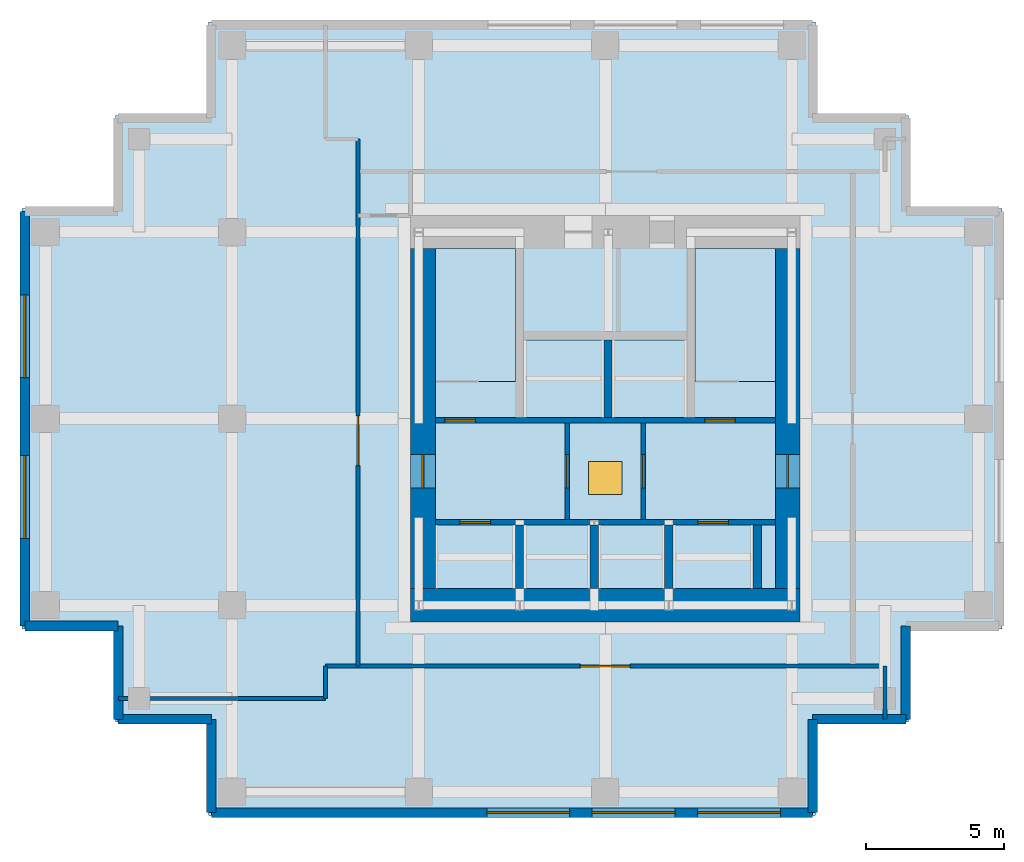
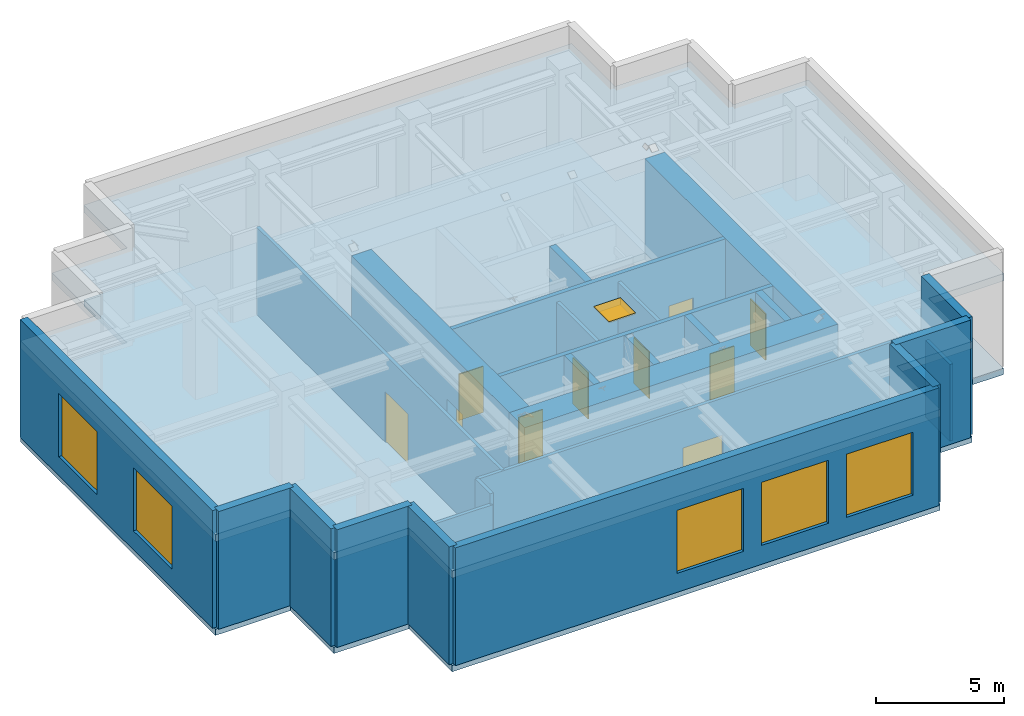
# One storey, part 2 of 4: 26 walls, 10 doors, 6 windows, 2 slabs, 16 openings.
"""IFC4 building model written with IfcOpenShell, lengths in metres."""

from ifc_helpers import new_model, si_unit, direction, frame, frame_2d, origin, origin_2d, place, context, subcontext, project, spatial, polyline, rectangle, outline, extrude, material, layer, layer_set, type_object, element, fill, save


model = new_model("IFC4")

# Units and contexts
model_context = context("Model", 3, precision=1e-05, world=origin(), true_north=direction((0.0, 1.0)))
body_context = subcontext(model_context, "Body", "Model", "MODEL_VIEW")
ifc_project = project(units=[si_unit("LENGTHUNIT", "METRE"), si_unit("AREAUNIT", "SQUARE_METRE"), si_unit("VOLUMEUNIT", "CUBIC_METRE"), si_unit("PLANEANGLEUNIT", "RADIAN"), si_unit("MASSUNIT", "GRAM", prefix="KILO")], contexts=[model_context])

# Site, building, storey
site_placement = place(None, origin())
site = spatial("IfcSite", under=ifc_project, at=site_placement, CompositionType="ELEMENT")
building_placement = place(site_placement, origin())
building = spatial("IfcBuilding", under=site, at=building_placement, Name="Nyansa Garden Tower", CompositionType="ELEMENT")
storey_placement = place(building_placement, frame((0.0, 0.0, 254.699951171875)))
storey = spatial("IfcBuildingStorey", under=building, at=storey_placement, Name="L69", CompositionType="ELEMENT", Elevation=254.699951171875)

# Slab
ifc_material_1 = material(Name="Concrete C40/50", Category="concrete")
ifc_layer_1 = layer(ifc_material_1, 0.300048828125)
ifc_layer_set_1 = layer_set([ifc_layer_1], Name="Floor slab FS300")
slab_type_1 = type_object("IfcSlabType", Name="Floor slab FS300", PredefinedType="FLOOR", material=ifc_layer_set_1)
slab_1_placement = place(storey_placement, frame((0.0, 0.0, -0.300048828125)))
element("IfcSlab", 1, at=slab_1_placement, inside=storey, type_object=slab_type_1, Name="Floor slab L69", PredefinedType="FLOOR", context=body_context, shape_type="SweptSolid", body=[
    extrude(outline(polyline([(34.60009765625, 12.64990234375), (31.22509765625, 12.64990234375), (31.22509765625, 9.27490234375), (27.85009765625, 9.27490234375), (27.85009765625, 5.89990234375), (5.89990234375, 5.89990234375), (5.89990234375, 9.27490234375), (2.52490234375, 9.27490234375), (2.52490234375, 12.64990234375), (-0.85009765625, 12.64990234375), (-0.85009765625, 27.85009765625), (2.52490234375, 27.85009765625), (2.52490234375, 31.22509765625), (5.89990234375, 31.22509765625), (5.89990234375, 34.60009765625), (27.85009765625, 34.60009765625), (27.85009765625, 31.22509765625), (31.22509765625, 31.22509765625), (31.22509765625, 27.85009765625), (34.60009765625, 27.85009765625), (34.60009765625, 12.64990234375)]), holes=[polyline([(14.10009765625, 14.10009765625), (17.0, 14.10009765625), (17.0, 16.39990234375), (14.10009765625, 16.39990234375), (14.10009765625, 14.10009765625)]), polyline([(17.300048828125, 14.10009765625), (19.699951171875, 14.10009765625), (19.699951171875, 16.39990234375), (17.300048828125, 16.39990234375), (17.300048828125, 14.10009765625)]), polyline([(20.0, 14.10009765625), (22.39990234375, 14.10009765625), (22.39990234375, 16.39990234375), (20.0, 16.39990234375), (20.0, 14.10009765625)]), polyline([(22.699951171875, 14.10009765625), (25.60009765625, 14.10009765625), (25.60009765625, 16.39990234375), (22.699951171875, 16.39990234375), (22.699951171875, 14.10009765625)]), polyline([(17.300048828125, 20.300048828125), (20.199951171875, 20.300048828125), (20.199951171875, 23.10009765625), (17.300048828125, 23.10009765625), (17.300048828125, 20.300048828125)]), polyline([(20.5, 20.300048828125), (23.199951171875, 20.300048828125), (23.199951171875, 23.10009765625), (20.5, 23.10009765625), (20.5, 20.300048828125)]), polyline([(14.10009765625, 21.60498046875), (17.0, 21.60498046875), (17.0, 26.39990234375), (14.10009765625, 26.39990234375), (14.10009765625, 21.60498046875)]), polyline([(23.5, 21.60498046875), (26.39990234375, 21.60498046875), (26.39990234375, 26.39990234375), (23.5, 26.39990234375), (23.5, 21.60498046875)])]), origin(), (0.0, 0.0, 1.0), 0.300048828125),
])

# Slab, opening, window
ifc_material_2 = material(Name="Concrete C40/50", Category="concrete")
ifc_layer_2 = layer(ifc_material_2, 0.35009765625)
ifc_layer_set_2 = layer_set([ifc_layer_2], Name="Roof slab RS350")
slab_type_2 = type_object("IfcSlabType", Name="Roof slab RS350", PredefinedType="ROOF", material=ifc_layer_set_2)
slab_2_placement = place(storey_placement, frame((0.0, 0.0, 4.150146484375)))
slab_2 = element("IfcSlab", 2, at=slab_2_placement, inside=storey, type_object=slab_type_2, Name="Roof", PredefinedType="ROOF", context=body_context, shape_type="SweptSolid", body=[
    extrude(outline(polyline([(34.60009765625, 12.64990234375), (31.22509765625, 12.64990234375), (31.22509765625, 9.27490234375), (27.85009765625, 9.27490234375), (27.85009765625, 5.89990234375), (5.89990234375, 5.89990234375), (5.89990234375, 9.27490234375), (2.52490234375, 9.27490234375), (2.52490234375, 12.64990234375), (-0.85009765625, 12.64990234375), (-0.85009765625, 27.85009765625), (2.52490234375, 27.85009765625), (2.52490234375, 31.22509765625), (5.89990234375, 31.22509765625), (5.89990234375, 34.60009765625), (27.85009765625, 34.60009765625), (27.85009765625, 31.22509765625), (31.22509765625, 31.22509765625), (31.22509765625, 27.85009765625), (34.60009765625, 27.85009765625), (34.60009765625, 12.64990234375)])), origin(), (0.0, 0.0, 1.0), 0.349853515625),
])
opening_1_placement = place(slab_2_placement, frame((20.25, 18.10009765625, 0.0)))
opening_1 = element("IfcOpeningElement", 3, at=opening_1_placement, cuts=slab_2, Name="Opening H1", PredefinedType="OPENING", context=body_context, shape_type="SweptSolid", body=[
    extrude(rectangle(XDim=1.199951171875, YDim=1.199951171875, at=origin_2d()), origin(), (0.0, 0.0, 1.0), 0.349853515625),
])
ifc_material_3 = material(Name="Galvanised steel insulated hatch", Category="steel")
window_type_1 = type_object("IfcWindowType", Name="Roof access hatch H1 1200x1200", PartitioningType="SINGLE_PANEL", PredefinedType="SKYLIGHT", material=ifc_material_3)
window_1_placement = place(opening_1_placement, frame((0.0, 0.0, 0.2998046875)))
window_1 = element("IfcWindow", 4, at=window_1_placement, inside=storey, type_object=window_type_1, Name="Roof access hatch", OverallHeight=1.199951171875, OverallWidth=1.199951171875, PartitioningType="SINGLE_PANEL", PredefinedType="SKYLIGHT", context=body_context, shape_type="SweptSolid", body=[
    extrude(rectangle(XDim=1.199951171875, YDim=1.199951171875, at=origin_2d()), origin(), (0.0, 0.0, 1.0), 0.050048828125),
])
fill(opening_1, window_1)

# Wall, openings, doors
ifc_material_4 = material(Name="Concrete C70/85", Category="concrete")
ifc_layer_3 = layer(ifc_material_4, 0.199951171875)
ifc_layer_set_3 = layer_set([ifc_layer_3], Name="Core inner wall CI200")
wall_type_1 = type_object("IfcWallType", Name="Core inner wall CI200", PredefinedType="SHEAR", material=ifc_layer_set_3)
wall_1_placement = place(storey_placement, frame((14.10009765625, 16.5, 0.0), z_axis=(0.0, 0.0, 1.0), x_axis=(1.0, 0.0, 0.0)))
wall_1 = element("IfcWall", 5, at=wall_1_placement, inside=storey, type_object=wall_type_1, Name="Core inner wall L69", PredefinedType="SHEAR", context=body_context, shape_type="SweptSolid", body=[
    extrude(rectangle(XDim=12.2998046875, YDim=0.199951171875, at=frame_2d((6.14990234375, 0.0))), origin(), (0.0, 0.0, 1.0), 4.5),
])
opening_2_placement = place(wall_1_placement, frame((0.89990234375, 0.0, 0.0)))
opening_2 = element("IfcOpeningElement", 6, at=opening_2_placement, cuts=wall_1, Name="Opening LD-F", PredefinedType="OPENING", context=body_context, shape_type="SweptSolid", body=[
    extrude(rectangle(XDim=1.10009765625, YDim=2.199951171875, at=frame_2d((0.550048828125, 1.10009765625))), frame((0.0, 0.10986328125, 0.0), z_axis=(0.0, -1.0, 0.0), x_axis=(1.0, 0.0, 0.0)), (0.0, 0.0, 1.0), 0.219970703125),
])
opening_3_placement = place(wall_1_placement, frame((9.5, 0.0, 0.0)))
opening_3 = element("IfcOpeningElement", 7, at=opening_3_placement, cuts=wall_1, Name="Opening LD-F", PredefinedType="OPENING", context=body_context, shape_type="SweptSolid", body=[
    extrude(rectangle(XDim=1.10009765625, YDim=2.199951171875, at=frame_2d((0.550048828125, 1.10009765625))), frame((0.0, 0.10986328125, 0.0), z_axis=(0.0, -1.0, 0.0), x_axis=(1.0, 0.0, 0.0)), (0.0, 0.0, 1.0), 0.219970703125),
])
ifc_material_5 = material(Name="Stainless steel centre-opening landing door of the firefighting lift, EN 81-72, E 120", Category="steel")
door_type_1 = type_object("IfcDoorType", Name="Lift landing door LD-F 1100x2200", OperationType="DOUBLE_DOOR_SLIDING", PredefinedType="DOOR", material=ifc_material_5)
door_1_placement = place(opening_2_placement, origin())
door_1 = element("IfcDoor", 8, at=door_1_placement, inside=storey, type_object=door_type_1, Name="Landing door FF1", OperationType="DOUBLE_DOOR_SLIDING", OverallHeight=2.199951171875, OverallWidth=1.10009765625, PredefinedType="DOOR", context=body_context, shape_type="SweptSolid", body=[
    extrude(rectangle(XDim=1.10009765625, YDim=2.199951171875, at=frame_2d((0.550048828125, 1.10009765625))), frame((0.0, 0.02490234375, 0.0), z_axis=(0.0, -1.0, 0.0), x_axis=(1.0, 0.0, 0.0)), (0.0, 0.0, 1.0), 0.050048828125),
])
fill(opening_2, door_1)
door_2_placement = place(opening_3_placement, origin())
door_2 = element("IfcDoor", 9, at=door_2_placement, inside=storey, type_object=door_type_1, Name="Landing door FF2", OperationType="DOUBLE_DOOR_SLIDING", OverallHeight=2.199951171875, OverallWidth=1.10009765625, PredefinedType="DOOR", context=body_context, shape_type="SweptSolid", body=[
    extrude(rectangle(XDim=1.10009765625, YDim=2.199951171875, at=frame_2d((0.550048828125, 1.10009765625))), frame((0.0, 0.02490234375, 0.0), z_axis=(0.0, -1.0, 0.0), x_axis=(1.0, 0.0, 0.0)), (0.0, 0.0, 1.0), 0.050048828125),
])
fill(opening_3, door_2)

wall_2_placement = place(storey_placement, frame((14.10009765625, 20.199951171875, 0.0), z_axis=(0.0, 0.0, 1.0), x_axis=(1.0, 0.0, 0.0)))
wall_2 = element("IfcWall", 10, at=wall_2_placement, inside=storey, type_object=wall_type_1, Name="Core inner wall L69", PredefinedType="SHEAR", context=body_context, shape_type="SweptSolid", body=[
    extrude(rectangle(XDim=12.2998046875, YDim=0.199951171875, at=frame_2d((6.14990234375, 0.0))), origin(), (0.0, 0.0, 1.0), 4.5),
])
opening_4_placement = place(wall_2_placement, frame((0.35009765625, 0.0, 0.0)))
opening_4 = element("IfcOpeningElement", 11, at=opening_4_placement, cuts=wall_2, Name="Opening D05", PredefinedType="OPENING", context=body_context, shape_type="SweptSolid", body=[
    extrude(rectangle(XDim=1.10009765625, YDim=2.199951171875, at=frame_2d((0.550048828125, 1.10009765625))), frame((0.0, 0.10986328125, 0.0), z_axis=(0.0, -1.0, 0.0), x_axis=(1.0, 0.0, 0.0)), (0.0, 0.0, 1.0), 0.219970703125),
])
opening_5_placement = place(wall_2_placement, frame((9.75, 0.0, 0.0)))
opening_5 = element("IfcOpeningElement", 12, at=opening_5_placement, cuts=wall_2, Name="Opening D05", PredefinedType="OPENING", context=body_context, shape_type="SweptSolid", body=[
    extrude(rectangle(XDim=1.10009765625, YDim=2.199951171875, at=frame_2d((0.550048828125, 1.10009765625))), frame((0.0, 0.10986328125, 0.0), z_axis=(0.0, -1.0, 0.0), x_axis=(1.0, 0.0, 0.0)), (0.0, 0.0, 1.0), 0.219970703125),
])
ifc_material_6 = material(Name="Steel door, 120 minute fire resisting", Category="steel")
door_type_2 = type_object("IfcDoorType", Name="Stair door D05 1100x2200", OperationType="SINGLE_SWING_LEFT", PredefinedType="DOOR", material=ifc_material_6)
door_3_placement = place(opening_4_placement, origin())
door_3 = element("IfcDoor", 13, at=door_3_placement, inside=storey, type_object=door_type_2, Name="Stair S1 door", OperationType="SINGLE_SWING_LEFT", OverallHeight=2.199951171875, OverallWidth=1.10009765625, PredefinedType="DOOR", context=body_context, shape_type="SweptSolid", body=[
    extrude(rectangle(XDim=1.10009765625, YDim=2.199951171875, at=frame_2d((0.550048828125, 1.10009765625))), frame((0.0, 0.02490234375, 0.0), z_axis=(0.0, -1.0, 0.0), x_axis=(1.0, 0.0, 0.0)), (0.0, 0.0, 1.0), 0.050048828125),
])
fill(opening_4, door_3)
door_4_placement = place(opening_5_placement, origin())
door_4 = element("IfcDoor", 14, at=door_4_placement, inside=storey, type_object=door_type_2, Name="Stair S2 door", OperationType="SINGLE_SWING_LEFT", OverallHeight=2.199951171875, OverallWidth=1.10009765625, PredefinedType="DOOR", context=body_context, shape_type="SweptSolid", body=[
    extrude(rectangle(XDim=1.10009765625, YDim=2.199951171875, at=frame_2d((0.550048828125, 1.10009765625))), frame((0.0, 0.02490234375, 0.0), z_axis=(0.0, -1.0, 0.0), x_axis=(1.0, 0.0, 0.0)), (0.0, 0.0, 1.0), 0.050048828125),
])
fill(opening_5, door_4)

# Walls
ifc_material_7 = material(Name="Concrete C70/85", Category="concrete")
ifc_layer_4 = layer(ifc_material_7, 0.300048828125)
ifc_layer_set_4 = layer_set([ifc_layer_4], Name="Core inner wall CI300")
wall_type_2 = type_object("IfcWallType", Name="Core inner wall CI300", PredefinedType="SHEAR", material=ifc_layer_set_4)
wall_3_placement = place(storey_placement, frame((20.35009765625, 20.300048828125, 0.0), z_axis=(0.0, 0.0, 1.0), x_axis=(0.0, 1.0, 0.0)))
element("IfcWall", 15, at=wall_3_placement, inside=storey, type_object=wall_type_2, Name="Core inner wall L69", PredefinedType="SHEAR", context=body_context, shape_type="SweptSolid", body=[
    extrude(rectangle(XDim=2.800048828125, YDim=0.300048828125, at=frame_2d((1.39990234375, 0.0))), origin(), (0.0, 0.0, 1.0), 4.5),
])
for number, where, z_axis, x_axis, name in (
    (16, (17.14990234375, 14.10009765625, 0.0), (0.0, 0.0, 1.0), (0.0, 1.0, 0.0), "Core inner wall L69"),
    (17, (19.85009765625, 14.10009765625, 0.0), (0.0, 0.0, 1.0), (0.0, 1.0, 0.0), "Core inner wall L69"),
    (18, (22.550048828125, 14.10009765625, 0.0), (0.0, 0.0, 1.0), (0.0, 1.0, 0.0), "Core inner wall L69"),
    (19, (25.75, 14.10009765625, 0.0), (0.0, 0.0, 1.0), (0.0, 1.0, 0.0), "Core inner wall L69"),
):
    element("IfcWall", number, at=place(storey_placement, frame(where, z_axis=z_axis, x_axis=x_axis)), inside=storey, type_object=wall_type_2, Name=name, PredefinedType="SHEAR", context=body_context, shape_type="SweptSolid", body=[
        extrude(rectangle(XDim=2.2998046875, YDim=0.300048828125, at=frame_2d((1.14990234375, 0.0))), origin(), (0.0, 0.0, 1.0), 4.5),
    ])
ifc_material_8 = material(Name="Concrete C80/95", Category="concrete")
ifc_layer_5 = layer(ifc_material_8, 1.199951171875)
ifc_layer_set_5 = layer_set([ifc_layer_5], Name="Core wall CW1200")
wall_type_3 = type_object("IfcWallType", Name="Core wall CW1200", PredefinedType="SHEAR", material=ifc_layer_set_5)
wall_4_placement = place(storey_placement, frame((13.199951171875, 13.5, 0.0), z_axis=(0.0, 0.0, 1.0), x_axis=(1.0, 0.0, 0.0)))
element("IfcWall", 20, at=wall_4_placement, inside=storey, type_object=wall_type_3, Name="Core wall S L69", PredefinedType="SHEAR", context=body_context, shape_type="SweptSolid", body=[
    extrude(rectangle(XDim=14.10009765625, YDim=1.199951171875, at=frame_2d((7.050048828125, 0.0))), origin(), (0.0, 0.0, 1.0), 4.5),
])

# Wall, opening, door
ifc_material_9 = material(Name="Concrete C80/95", Category="concrete")
ifc_layer_6 = layer(ifc_material_9, 0.89990234375)
ifc_layer_set_6 = layer_set([ifc_layer_6], Name="Core wall CW900")
wall_type_4 = type_object("IfcWallType", Name="Core wall CW900", PredefinedType="SHEAR", material=ifc_layer_set_6)
wall_5_placement = place(storey_placement, frame((26.85009765625, 14.10009765625, 0.0), z_axis=(0.0, 0.0, 1.0), x_axis=(0.0, 1.0, 0.0)))
wall_5 = element("IfcWall", 21, at=wall_5_placement, inside=storey, type_object=wall_type_4, Name="Core wall E L69", PredefinedType="SHEAR", context=body_context, shape_type="SweptSolid", body=[
    extrude(rectangle(XDim=12.2998046875, YDim=0.89990234375, at=frame_2d((6.14990234375, 0.0))), origin(), (0.0, 0.0, 1.0), 4.5),
])
opening_6_placement = place(wall_5_placement, frame((3.64990234375, 0.0, 0.0)))
opening_6 = element("IfcOpeningElement", 22, at=opening_6_placement, cuts=wall_5, Name="Opening D06", PredefinedType="OPENING", context=body_context, shape_type="SweptSolid", body=[
    extrude(rectangle(XDim=1.199951171875, YDim=2.199951171875, at=frame_2d((0.60009765625, 1.10009765625))), frame((0.0, 0.4599609375, 0.0), z_axis=(0.0, -1.0, 0.0), x_axis=(1.0, 0.0, 0.0)), (0.0, 0.0, 1.0), 0.919921875),
])
ifc_material_10 = material(Name="Steel door, 120 minute fire resisting", Category="steel")
door_type_3 = type_object("IfcDoorType", Name="Lobby door D06 1200x2200", OperationType="DOUBLE_DOOR_SINGLE_SWING", PredefinedType="DOOR", material=ifc_material_10)
door_5_placement = place(opening_6_placement, origin())
door_5 = element("IfcDoor", 23, at=door_5_placement, inside=storey, type_object=door_type_3, Name="Lift lobby door east", OperationType="DOUBLE_DOOR_SINGLE_SWING", OverallHeight=2.199951171875, OverallWidth=1.199951171875, PredefinedType="DOOR", context=body_context, shape_type="SweptSolid", body=[
    extrude(rectangle(XDim=1.199951171875, YDim=2.199951171875, at=frame_2d((0.60009765625, 1.10009765625))), frame((0.0, 0.02490234375, 0.0), z_axis=(0.0, -1.0, 0.0), x_axis=(1.0, 0.0, 0.0)), (0.0, 0.0, 1.0), 0.050048828125),
])
fill(opening_6, door_5)

wall_6_placement = place(storey_placement, frame((13.64990234375, 26.39990234375, 0.0), z_axis=(0.0, 0.0, 1.0), x_axis=(0.0, -1.0, 0.0)))
wall_6 = element("IfcWall", 24, at=wall_6_placement, inside=storey, type_object=wall_type_4, Name="Core wall W L69", PredefinedType="SHEAR", context=body_context, shape_type="SweptSolid", body=[
    extrude(rectangle(XDim=12.2998046875, YDim=0.89990234375, at=frame_2d((6.14990234375, 0.0))), origin(), (0.0, 0.0, 1.0), 4.5),
])
opening_7_placement = place(wall_6_placement, frame((7.449951171875, 0.0, 0.0)))
opening_7 = element("IfcOpeningElement", 25, at=opening_7_placement, cuts=wall_6, Name="Opening D06", PredefinedType="OPENING", context=body_context, shape_type="SweptSolid", body=[
    extrude(rectangle(XDim=1.199951171875, YDim=2.199951171875, at=frame_2d((0.60009765625, 1.10009765625))), frame((0.0, 0.4599609375, 0.0), z_axis=(0.0, -1.0, 0.0), x_axis=(1.0, 0.0, 0.0)), (0.0, 0.0, 1.0), 0.919921875),
])
door_6_placement = place(opening_7_placement, origin())
door_6 = element("IfcDoor", 26, at=door_6_placement, inside=storey, type_object=door_type_3, Name="Lift lobby door west", OperationType="DOUBLE_DOOR_SINGLE_SWING", OverallHeight=2.199951171875, OverallWidth=1.199951171875, PredefinedType="DOOR", context=body_context, shape_type="SweptSolid", body=[
    extrude(rectangle(XDim=1.199951171875, YDim=2.199951171875, at=frame_2d((0.60009765625, 1.10009765625))), frame((0.0, 0.02490234375, 0.0), z_axis=(0.0, -1.0, 0.0), x_axis=(1.0, 0.0, 0.0)), (0.0, 0.0, 1.0), 0.050048828125),
])
fill(opening_7, door_6)

ifc_material_11 = material(Name="Blockwork, plastered both sides", Category="masonry")
ifc_layer_7 = layer(ifc_material_11, 0.14990234375)
ifc_layer_set_7 = layer_set([ifc_layer_7], Name="Partition PW150")
wall_type_5 = type_object("IfcWallType", Name="Partition PW150", PredefinedType="PARTITIONING", material=ifc_layer_set_7)
wall_7_placement = place(storey_placement, frame((18.875, 16.60009765625, 0.0), z_axis=(0.0, 0.0, 1.0), x_axis=(0.0, 1.0, 0.0)))
wall_7 = element("IfcWall", 27, at=wall_7_placement, inside=storey, type_object=wall_type_5, Name="Partition", PredefinedType="PARTITIONING", context=body_context, shape_type="SweptSolid", body=[
    extrude(rectangle(XDim=3.5, YDim=0.14990234375, at=frame_2d((1.75, 0.0))), origin(), (0.0, 0.0, 1.0), 4.150146484375),
])
opening_8_placement = place(wall_7_placement, frame((1.14990234375, 0.0, 0.0)))
opening_8 = element("IfcOpeningElement", 28, at=opening_8_placement, cuts=wall_7, Name="Opening D06", PredefinedType="OPENING", context=body_context, shape_type="SweptSolid", body=[
    extrude(rectangle(XDim=1.199951171875, YDim=2.199951171875, at=frame_2d((0.60009765625, 1.10009765625))), frame((0.0, 0.0849609375, 0.0), z_axis=(0.0, -1.0, 0.0), x_axis=(1.0, 0.0, 0.0)), (0.0, 0.0, 1.0), 0.169921875),
])
door_7_placement = place(opening_8_placement, origin())
door_7 = element("IfcDoor", 29, at=door_7_placement, inside=storey, type_object=door_type_3, Name="Passenger lift lobby door", OperationType="DOUBLE_DOOR_SINGLE_SWING", OverallHeight=2.199951171875, OverallWidth=1.199951171875, PredefinedType="DOOR", context=body_context, shape_type="SweptSolid", body=[
    extrude(rectangle(XDim=1.199951171875, YDim=2.199951171875, at=frame_2d((0.60009765625, 1.10009765625))), frame((0.0, 0.02490234375, 0.0), z_axis=(0.0, -1.0, 0.0), x_axis=(1.0, 0.0, 0.0)), (0.0, 0.0, 1.0), 0.050048828125),
])
fill(opening_8, door_7)

wall_8_placement = place(storey_placement, frame((21.625, 16.60009765625, 0.0), z_axis=(0.0, 0.0, 1.0), x_axis=(0.0, 1.0, 0.0)))
wall_8 = element("IfcWall", 30, at=wall_8_placement, inside=storey, type_object=wall_type_5, Name="Partition", PredefinedType="PARTITIONING", context=body_context, shape_type="SweptSolid", body=[
    extrude(rectangle(XDim=3.5, YDim=0.14990234375, at=frame_2d((1.75, 0.0))), origin(), (0.0, 0.0, 1.0), 4.150146484375),
])
opening_9_placement = place(wall_8_placement, frame((1.14990234375, 0.0, 0.0)))
opening_9 = element("IfcOpeningElement", 31, at=opening_9_placement, cuts=wall_8, Name="Opening D06", PredefinedType="OPENING", context=body_context, shape_type="SweptSolid", body=[
    extrude(rectangle(XDim=1.199951171875, YDim=2.199951171875, at=frame_2d((0.60009765625, 1.10009765625))), frame((0.0, 0.0849609375, 0.0), z_axis=(0.0, -1.0, 0.0), x_axis=(1.0, 0.0, 0.0)), (0.0, 0.0, 1.0), 0.169921875),
])
door_8_placement = place(opening_9_placement, origin())
door_8 = element("IfcDoor", 32, at=door_8_placement, inside=storey, type_object=door_type_3, Name="Passenger lift lobby door", OperationType="DOUBLE_DOOR_SINGLE_SWING", OverallHeight=2.199951171875, OverallWidth=1.199951171875, PredefinedType="DOOR", context=body_context, shape_type="SweptSolid", body=[
    extrude(rectangle(XDim=1.199951171875, YDim=2.199951171875, at=frame_2d((0.60009765625, 1.10009765625))), frame((0.0, 0.02490234375, 0.0), z_axis=(0.0, -1.0, 0.0), x_axis=(1.0, 0.0, 0.0)), (0.0, 0.0, 1.0), 0.050048828125),
])
fill(opening_9, door_8)

# Walls
wall_9_placement = place(storey_placement, frame((2.64111328125, 10.125, 0.0), z_axis=(0.0, 0.0, 1.0), x_axis=(1.0, 0.0, 0.0)))
element("IfcWall", 33, at=wall_9_placement, inside=storey, type_object=wall_type_5, Name="Partition", PredefinedType="PARTITIONING", context=body_context, shape_type="SweptSolid", body=[
    extrude(rectangle(XDim=7.48388671875, YDim=0.14990234375, at=frame_2d((3.741943359375, 0.0))), origin(), (0.0, 0.0, 1.0), 3.652099609375),
])
wall_10_placement = place(storey_placement, frame((10.125, 10.125, 0.0), z_axis=(0.0, 0.0, 1.0), x_axis=(0.0, 1.0, 0.0)))
element("IfcWall", 34, at=wall_10_placement, inside=storey, type_object=wall_type_5, Name="Partition", PredefinedType="PARTITIONING", context=body_context, shape_type="SweptSolid", body=[
    extrude(rectangle(XDim=1.175048828125, YDim=0.14990234375, at=frame_2d((0.58740234375, 0.0))), origin(), (0.0, 0.0, 1.0), 4.150146484375),
])

# Wall, opening, door
wall_11_placement = place(storey_placement, frame((10.125, 11.300048828125, 0.0), z_axis=(0.0, 0.0, 1.0), x_axis=(1.0, 0.0, 0.0)))
wall_11 = element("IfcWall", 35, at=wall_11_placement, inside=storey, type_object=wall_type_5, Name="Partition", PredefinedType="PARTITIONING", context=body_context, shape_type="SweptSolid", body=[
    extrude(rectangle(XDim=20.25, YDim=0.14990234375, at=frame_2d((10.125, 0.0))), origin(), (0.0, 0.0, 1.0), 4.150146484375),
])
opening_10_placement = place(wall_11_placement, frame((9.22509765625, 0.0, 0.0)))
opening_10 = element("IfcOpeningElement", 36, at=opening_10_placement, cuts=wall_11, Name="Opening D09", PredefinedType="OPENING", context=body_context, shape_type="SweptSolid", body=[
    extrude(rectangle(XDim=1.800048828125, YDim=2.39990234375, at=frame_2d((0.89990234375, 1.199951171875))), frame((0.0, 0.0849609375, 0.0), z_axis=(0.0, -1.0, 0.0), x_axis=(1.0, 0.0, 0.0)), (0.0, 0.0, 1.0), 0.169921875),
])
ifc_material_12 = material(Name="Steel door, 120 minute fire resisting", Category="steel")
door_type_4 = type_object("IfcDoorType", Name="Plant room door D09 1800x2400", OperationType="DOUBLE_DOOR_SINGLE_SWING", PredefinedType="DOOR", material=ifc_material_12)
door_9_placement = place(opening_10_placement, origin())
door_9 = element("IfcDoor", 37, at=door_9_placement, inside=storey, type_object=door_type_4, Name="Door L69-017", OperationType="DOUBLE_DOOR_SINGLE_SWING", OverallHeight=2.39990234375, OverallWidth=1.800048828125, PredefinedType="DOOR", context=body_context, shape_type="SweptSolid", body=[
    extrude(rectangle(XDim=1.800048828125, YDim=2.39990234375, at=frame_2d((0.89990234375, 1.199951171875))), frame((0.0, 0.02490234375, 0.0), z_axis=(0.0, -1.0, 0.0), x_axis=(1.0, 0.0, 0.0)), (0.0, 0.0, 1.0), 0.050048828125),
])
fill(opening_10, door_9)

wall_12_placement = place(storey_placement, frame((11.300048828125, 11.300048828125, 0.0), z_axis=(0.0, 0.0, 1.0), x_axis=(0.0, 1.0, 0.0)))
wall_12 = element("IfcWall", 38, at=wall_12_placement, inside=storey, type_object=wall_type_5, Name="Partition", PredefinedType="PARTITIONING", context=body_context, shape_type="SweptSolid", body=[
    extrude(rectangle(XDim=19.074951171875, YDim=0.14990234375, at=frame_2d((9.53759765625, 0.0))), origin(), (0.0, 0.0, 1.0), 4.150146484375),
])
opening_11_placement = place(wall_12_placement, frame((7.25, 0.0, 0.0)))
opening_11 = element("IfcOpeningElement", 39, at=opening_11_placement, cuts=wall_12, Name="Opening D09", PredefinedType="OPENING", context=body_context, shape_type="SweptSolid", body=[
    extrude(rectangle(XDim=1.800048828125, YDim=2.39990234375, at=frame_2d((0.89990234375, 1.199951171875))), frame((0.0, 0.0849609375, 0.0), z_axis=(0.0, -1.0, 0.0), x_axis=(1.0, 0.0, 0.0)), (0.0, 0.0, 1.0), 0.169921875),
])
door_10_placement = place(opening_11_placement, origin())
door_10 = element("IfcDoor", 40, at=door_10_placement, inside=storey, type_object=door_type_4, Name="Door L69-019", OperationType="DOUBLE_DOOR_SINGLE_SWING", OverallHeight=2.39990234375, OverallWidth=1.800048828125, PredefinedType="DOOR", context=body_context, shape_type="SweptSolid", body=[
    extrude(rectangle(XDim=1.800048828125, YDim=2.39990234375, at=frame_2d((0.89990234375, 1.199951171875))), frame((0.0, 0.02490234375, 0.0), z_axis=(0.0, -1.0, 0.0), x_axis=(1.0, 0.0, 0.0)), (0.0, 0.0, 1.0), 0.050048828125),
])
fill(opening_11, door_10)

# Wall
wall_13_placement = place(storey_placement, frame((30.375, 9.39111328125, 0.0), z_axis=(0.0, 0.0, 1.0), x_axis=(0.0, 1.0, 0.0)))
element("IfcWall", 41, at=wall_13_placement, inside=storey, type_object=wall_type_5, Name="Partition", PredefinedType="PARTITIONING", context=body_context, shape_type="SweptSolid", body=[
    extrude(rectangle(XDim=1.908935546875, YDim=0.14990234375, at=frame_2d((0.95458984375, 0.0))), origin(), (0.0, 0.0, 1.0), 3.652099609375),
])

# Wall, openings, windows
ifc_material_13 = material(Name="Turquoise and ultramarine glazed tile on concrete blockwork", Category="masonry")
ifc_layer_8 = layer(ifc_material_13, 0.35009765625)
ifc_layer_set_8 = layer_set([ifc_layer_8], Name="Tiled plant wall PW350")
wall_type_6 = type_object("IfcWallType", Name="Tiled plant wall PW350", PredefinedType="SOLIDWALL", material=ifc_layer_set_8)
wall_14_placement = place(storey_placement, frame((-0.75, 27.75, 0.0), z_axis=(0.0, 0.0, 1.0), x_axis=(0.0, -1.0, 0.0)))
wall_14 = element("IfcWall", 42, at=wall_14_placement, inside=storey, type_object=wall_type_6, Name="Tiled plant wall L69", PredefinedType="SOLIDWALL", context=body_context, shape_type="SweptSolid", body=[
    extrude(rectangle(XDim=15.0, YDim=0.35009765625, at=frame_2d((7.5, 0.0))), origin(), (0.0, 0.0, 1.0), 5.60009765625),
])
opening_12_placement = place(wall_14_placement, frame((3.0166015625, 0.0, 0.89990234375)))
opening_12 = element("IfcOpeningElement", 43, at=opening_12_placement, cuts=wall_14, Name="Opening W5", PredefinedType="OPENING", context=body_context, shape_type="SweptSolid", body=[
    extrude(rectangle(XDim=3.0, YDim=3.0, at=frame_2d((1.5, 1.5))), frame((0.0, 0.18505859375, 0.0), z_axis=(0.0, -1.0, 0.0), x_axis=(1.0, 0.0, 0.0)), (0.0, 0.0, 1.0), 0.3701171875),
])
opening_13_placement = place(wall_14_placement, frame((8.833251953125, 0.0, 0.89990234375)))
opening_13 = element("IfcOpeningElement", 44, at=opening_13_placement, cuts=wall_14, Name="Opening W5", PredefinedType="OPENING", context=body_context, shape_type="SweptSolid", body=[
    extrude(rectangle(XDim=3.0, YDim=3.0, at=frame_2d((1.5, 1.5))), frame((0.0, 0.18505859375, 0.0), z_axis=(0.0, -1.0, 0.0), x_axis=(1.0, 0.0, 0.0)), (0.0, 0.0, 1.0), 0.3701171875),
])
ifc_material_14 = material(Name="Black aluminium storm louvre, bird mesh", Category="aluminium")
window_type_2 = type_object("IfcWindowType", Name="Plant louvre W5 3000x3000", PartitioningType="SINGLE_PANEL", PredefinedType="WINDOW", material=ifc_material_14)
window_2_placement = place(opening_12_placement, origin())
window_2 = element("IfcWindow", 45, at=window_2_placement, inside=storey, type_object=window_type_2, Name="Louvre L69", OverallHeight=3.0, OverallWidth=3.0, PartitioningType="SINGLE_PANEL", PredefinedType="WINDOW", context=body_context, shape_type="SweptSolid", body=[
    extrude(rectangle(XDim=3.0, YDim=3.0, at=frame_2d((1.5, 1.5))), frame((0.0, 0.030029296875, 0.0), z_axis=(0.0, -1.0, 0.0), x_axis=(1.0, 0.0, 0.0)), (0.0, 0.0, 1.0), 0.06005859375),
])
fill(opening_12, window_2)
window_3_placement = place(opening_13_placement, origin())
window_3 = element("IfcWindow", 46, at=window_3_placement, inside=storey, type_object=window_type_2, Name="Louvre L69", OverallHeight=3.0, OverallWidth=3.0, PartitioningType="SINGLE_PANEL", PredefinedType="WINDOW", context=body_context, shape_type="SweptSolid", body=[
    extrude(rectangle(XDim=3.0, YDim=3.0, at=frame_2d((1.5, 1.5))), frame((0.0, 0.030029296875, 0.0), z_axis=(0.0, -1.0, 0.0), x_axis=(1.0, 0.0, 0.0)), (0.0, 0.0, 1.0), 0.06005859375),
])
fill(opening_13, window_3)

# Walls
for number, where, z_axis, x_axis, name in (
    (47, (-0.75, 12.75, 0.0), (0.0, 0.0, 1.0), (1.0, 0.0, 0.0), "Tiled plant wall L69"),
    (48, (2.625, 12.75, 0.0), (0.0, 0.0, 1.0), (0.0, -1.0, 0.0), "Tiled plant wall L69"),
    (49, (2.625, 9.375, 0.0), (0.0, 0.0, 1.0), (1.0, 0.0, 0.0), "Tiled plant wall L69"),
    (50, (6.0, 9.375, 0.0), (0.0, 0.0, 1.0), (0.0, -1.0, 0.0), "Tiled plant wall L69"),
):
    element("IfcWall", number, at=place(storey_placement, frame(where, z_axis=z_axis, x_axis=x_axis)), inside=storey, type_object=wall_type_6, Name=name, PredefinedType="SOLIDWALL", context=body_context, shape_type="SweptSolid", body=[
        extrude(rectangle(XDim=3.375, YDim=0.35009765625, at=frame_2d((1.6875, 0.0))), origin(), (0.0, 0.0, 1.0), 5.60009765625),
    ])

# Wall, openings, windows
wall_15_placement = place(storey_placement, frame((6.0, 6.0, 0.0), z_axis=(0.0, 0.0, 1.0), x_axis=(1.0, 0.0, 0.0)))
wall_15 = element("IfcWall", 51, at=wall_15_placement, inside=storey, type_object=wall_type_6, Name="Tiled plant wall L69", PredefinedType="SOLIDWALL", context=body_context, shape_type="SweptSolid", body=[
    extrude(rectangle(XDim=21.75, YDim=0.35009765625, at=frame_2d((10.875, 0.0))), origin(), (0.0, 0.0, 1.0), 5.60009765625),
])
opening_14_placement = place(wall_15_placement, frame((9.96240234375, 0.0, 0.89990234375)))
opening_14 = element("IfcOpeningElement", 52, at=opening_14_placement, cuts=wall_15, Name="Opening W5", PredefinedType="OPENING", context=body_context, shape_type="SweptSolid", body=[
    extrude(rectangle(XDim=3.0, YDim=3.0, at=frame_2d((1.5, 1.5))), frame((0.0, 0.18505859375, 0.0), z_axis=(0.0, -1.0, 0.0), x_axis=(1.0, 0.0, 0.0)), (0.0, 0.0, 1.0), 0.3701171875),
])
opening_15_placement = place(wall_15_placement, frame((13.77490234375, 0.0, 0.89990234375)))
opening_15 = element("IfcOpeningElement", 53, at=opening_15_placement, cuts=wall_15, Name="Opening W5", PredefinedType="OPENING", context=body_context, shape_type="SweptSolid", body=[
    extrude(rectangle(XDim=3.0, YDim=3.0, at=frame_2d((1.5, 1.5))), frame((0.0, 0.18505859375, 0.0), z_axis=(0.0, -1.0, 0.0), x_axis=(1.0, 0.0, 0.0)), (0.0, 0.0, 1.0), 0.3701171875),
])
opening_16_placement = place(wall_15_placement, frame((17.58740234375, 0.0, 0.89990234375)))
opening_16 = element("IfcOpeningElement", 54, at=opening_16_placement, cuts=wall_15, Name="Opening W5", PredefinedType="OPENING", context=body_context, shape_type="SweptSolid", body=[
    extrude(rectangle(XDim=3.0, YDim=3.0, at=frame_2d((1.5, 1.5))), frame((0.0, 0.18505859375, 0.0), z_axis=(0.0, -1.0, 0.0), x_axis=(1.0, 0.0, 0.0)), (0.0, 0.0, 1.0), 0.3701171875),
])
window_4_placement = place(opening_14_placement, origin())
window_4 = element("IfcWindow", 55, at=window_4_placement, inside=storey, type_object=window_type_2, Name="Louvre L69", OverallHeight=3.0, OverallWidth=3.0, PartitioningType="SINGLE_PANEL", PredefinedType="WINDOW", context=body_context, shape_type="SweptSolid", body=[
    extrude(rectangle(XDim=3.0, YDim=3.0, at=frame_2d((1.5, 1.5))), frame((0.0, 0.030029296875, 0.0), z_axis=(0.0, -1.0, 0.0), x_axis=(1.0, 0.0, 0.0)), (0.0, 0.0, 1.0), 0.06005859375),
])
fill(opening_14, window_4)
window_5_placement = place(opening_15_placement, origin())
window_5 = element("IfcWindow", 56, at=window_5_placement, inside=storey, type_object=window_type_2, Name="Louvre L69", OverallHeight=3.0, OverallWidth=3.0, PartitioningType="SINGLE_PANEL", PredefinedType="WINDOW", context=body_context, shape_type="SweptSolid", body=[
    extrude(rectangle(XDim=3.0, YDim=3.0, at=frame_2d((1.5, 1.5))), frame((0.0, 0.030029296875, 0.0), z_axis=(0.0, -1.0, 0.0), x_axis=(1.0, 0.0, 0.0)), (0.0, 0.0, 1.0), 0.06005859375),
])
fill(opening_15, window_5)
window_6_placement = place(opening_16_placement, origin())
window_6 = element("IfcWindow", 57, at=window_6_placement, inside=storey, type_object=window_type_2, Name="Louvre L69", OverallHeight=3.0, OverallWidth=3.0, PartitioningType="SINGLE_PANEL", PredefinedType="WINDOW", context=body_context, shape_type="SweptSolid", body=[
    extrude(rectangle(XDim=3.0, YDim=3.0, at=frame_2d((1.5, 1.5))), frame((0.0, 0.030029296875, 0.0), z_axis=(0.0, -1.0, 0.0), x_axis=(1.0, 0.0, 0.0)), (0.0, 0.0, 1.0), 0.06005859375),
])
fill(opening_16, window_6)

# Walls
for number, where, z_axis, x_axis, name in (
    (58, (27.75, 6.0, 0.0), (0.0, 0.0, 1.0), (0.0, 1.0, 0.0), "Tiled plant wall L69"),
    (59, (27.75, 9.375, 0.0), (0.0, 0.0, 1.0), (1.0, 0.0, 0.0), "Tiled plant wall L69"),
    (60, (31.125, 9.375, 0.0), (0.0, 0.0, 1.0), (0.0, 1.0, 0.0), "Tiled plant wall L69"),
):
    element("IfcWall", number, at=place(storey_placement, frame(where, z_axis=z_axis, x_axis=x_axis)), inside=storey, type_object=wall_type_6, Name=name, PredefinedType="SOLIDWALL", context=body_context, shape_type="SweptSolid", body=[
        extrude(rectangle(XDim=3.375, YDim=0.35009765625, at=frame_2d((1.6875, 0.0))), origin(), (0.0, 0.0, 1.0), 5.60009765625),
    ])

save(model, "model.ifc")
